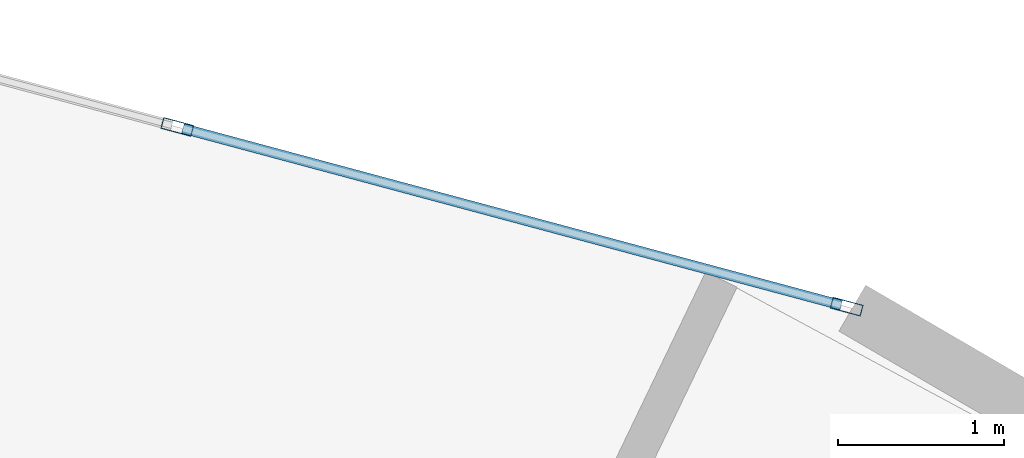
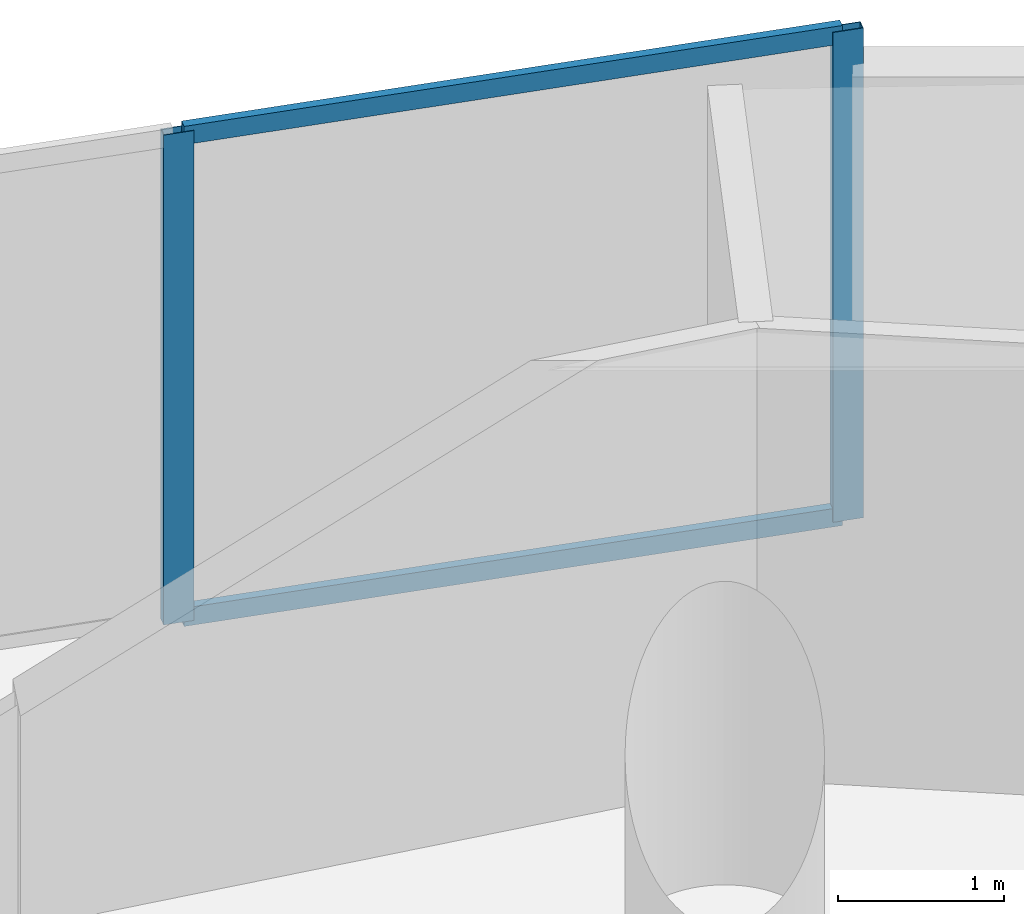
# One storey, part 15 of 23: 4 members, 1 element without a shape of its own.
"""IFC4 building model written with IfcOpenShell, lengths in metres."""

from ifc_helpers import new_model, si_unit, direction, frame, origin, origin_2d, place, context, subcontext, project, spatial, hollow_rectangle, extrude, source, transform, mapped, material, layer, layer_set, material_profile, profile_set, type_object, element, aggregate, save


model = new_model("IFC4")

# Units and contexts
model_context = context("Model", 3, precision=1e-05, world=origin(), true_north=direction((0.0, 1.0)))
body_context = subcontext(model_context, "Body", "Model", "MODEL_VIEW")
ifc_project = project(units=[si_unit("LENGTHUNIT", "METRE"), si_unit("AREAUNIT", "SQUARE_METRE"), si_unit("VOLUMEUNIT", "CUBIC_METRE"), si_unit("PLANEANGLEUNIT", "RADIAN"), si_unit("MASSUNIT", "GRAM", prefix="KILO")], contexts=[model_context])

# Site, building, storey
site_placement = place(None, origin())
site = spatial("IfcSite", under=ifc_project, at=site_placement, CompositionType="ELEMENT")
building_placement = place(site_placement, origin())
building = spatial("IfcBuilding", under=site, at=building_placement, Name="Solvirekh Grand Hotel", CompositionType="ELEMENT")
storey_placement = place(building_placement, frame((0.0, 0.0, 39.199951171875)))
storey = spatial("IfcBuildingStorey", under=building, at=storey_placement, Name="L08", CompositionType="ELEMENT", Elevation=39.199951171875)

# Curtain wall, members
ifc_material = material(Name="Anodized Bronze Aluminium 6063-T6", Category="aluminium")
ifc_layer = layer(ifc_material, 0.18994140625)
ifc_layer_set = layer_set([ifc_layer], Name="Anodized Bronze Aluminium 6063-T6")
curtain_wall_type = type_object("IfcCurtainWallType", Name="CW_Sys2_LowZoneFlushBronzeCW", PredefinedType="NOTDEFINED", material=ifc_layer_set)
curtain_wall_placement = place(storey_placement, origin())
curtain_wall = element("IfcCurtainWall", 1, at=curtain_wall_placement, inside=storey, type_object=curtain_wall_type, Name="L08 unitised bronze-glass curtain wall CW-L08-C05", PredefinedType="NOTDEFINED")
ifc_material_profile_1 = material_profile(ifc_material, hollow_rectangle(XDim=0.070068359375, YDim=0.18994140625, WallThickness=0.0048828125, at=origin_2d()), Name="ALU RHS 190X70X5")
ifc_profile_set_1 = profile_set([ifc_material_profile_1], Name="Anodized Bronze Aluminium 6063-T6")
member_type_1 = type_object("IfcMemberType", Name="CWMullion_Sys2", PredefinedType="MULLION", material=ifc_profile_set_1)
shared_shape_1 = source(origin(), body_context, "Body", "SweptSolid", [
    extrude(hollow_rectangle(XDim=0.070068359375, YDim=0.18994140625, WallThickness=0.0048828125, at=origin_2d()), origin(), (0.0, 0.0, 1.0), 3.60009765625),
])
member_1_placement = place(storey_placement, frame((12.18115234375, 19.630126953125, 0.0), z_axis=(0.0, 0.0, 1.0), x_axis=(-0.259363848145, -0.965779682058, 0.0)))
member_1 = element("IfcMember", 2, at=member_1_placement, type_object=member_type_1, Name="U02 mullion 1", PredefinedType="MULLION", context=body_context, shape_type="MappedRepresentation", body=[
    mapped(shared_shape_1, transform((0.0, 0.0, 0.0), x_axis=(1.0, 0.0, 0.0), y_axis=(0.0, 1.0, 0.0), z_axis=(0.0, 0.0, 1.0), scale=1.0)),
])
member_2_placement = place(storey_placement, frame((8.152587890625, 20.7119140625, 0.0), z_axis=(0.0, 0.0, 1.0), x_axis=(-0.259363848145, -0.965779682058, 0.0)))
member_2 = element("IfcMember", 3, at=member_2_placement, type_object=member_type_1, Name="U02 mullion 2", PredefinedType="MULLION", context=body_context, shape_type="MappedRepresentation", body=[
    mapped(shared_shape_1, transform((0.0, 0.0, 0.0), x_axis=(1.0, 0.0, 0.0), y_axis=(0.0, 1.0, 0.0), z_axis=(0.0, 0.0, 1.0), scale=1.0)),
])
ifc_material_profile_2 = material_profile(ifc_material, hollow_rectangle(XDim=0.06005859375, YDim=0.135009765625, WallThickness=0.00390625, at=origin_2d()), Name="ALU RHS 135X60X4")
ifc_profile_set_2 = profile_set([ifc_material_profile_2], Name="Anodized Bronze Aluminium 6063-T6")
member_type_2 = type_object("IfcMemberType", Name="CWTransom_Sys2", PredefinedType="USERDEFINED", material=ifc_profile_set_2)
shared_shape_2 = source(origin(), body_context, "Body", "SweptSolid", [
    extrude(hollow_rectangle(XDim=0.06005859375, YDim=0.135009765625, WallThickness=0.00390625, at=origin_2d()), origin(), (0.0, 0.0, 1.0), 4.1015625),
])
member_3_placement = place(storey_placement, frame((12.1474609375, 19.63916015625, 0.030029296875), z_axis=(-0.965783948529, 0.259347960785, 0.0), x_axis=(-0.259347960785, -0.965783948529, 0.0)))
member_3 = element("IfcMember", 4, at=member_3_placement, type_object=member_type_2, Name="U02 transom 1.1", ObjectType="TRANSOM", PredefinedType="USERDEFINED", context=body_context, shape_type="MappedRepresentation", body=[
    mapped(shared_shape_2, transform((0.0, 0.0, 0.0), x_axis=(1.0, 0.0, 0.0), y_axis=(0.0, 1.0, 0.0), z_axis=(0.0, 0.0, 1.0), scale=1.0)),
])
member_4_placement = place(storey_placement, frame((12.1474609375, 19.63916015625, 3.570068359375), z_axis=(-0.965783948529, 0.259347960785, 0.0), x_axis=(-0.259347960785, -0.965783948529, 0.0)))
member_4 = element("IfcMember", 5, at=member_4_placement, type_object=member_type_2, Name="U02 transom 1.2", ObjectType="TRANSOM", PredefinedType="USERDEFINED", context=body_context, shape_type="MappedRepresentation", body=[
    mapped(shared_shape_2, transform((0.0, 0.0, 0.0), x_axis=(1.0, 0.0, 0.0), y_axis=(0.0, 1.0, 0.0), z_axis=(0.0, 0.0, 1.0), scale=1.0)),
])
aggregate(curtain_wall, [member_1, member_2, member_3, member_4])

save(model, "model.ifc")
